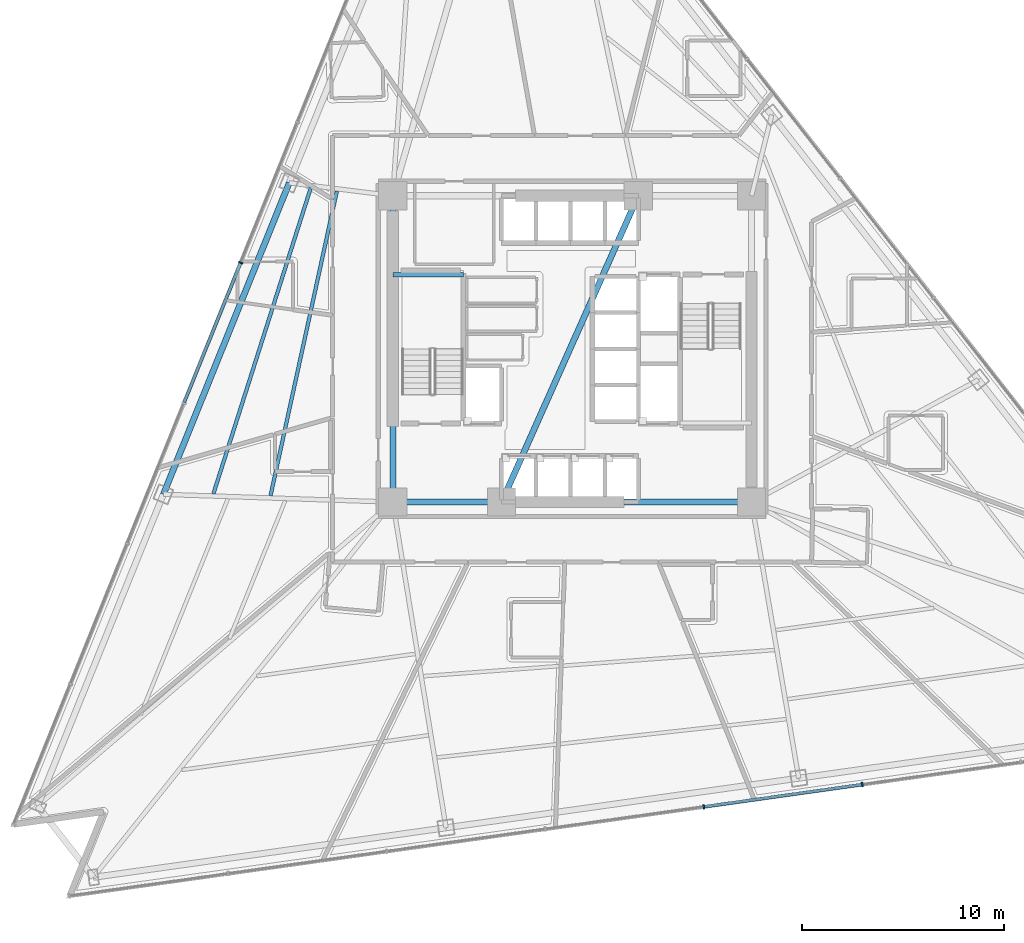
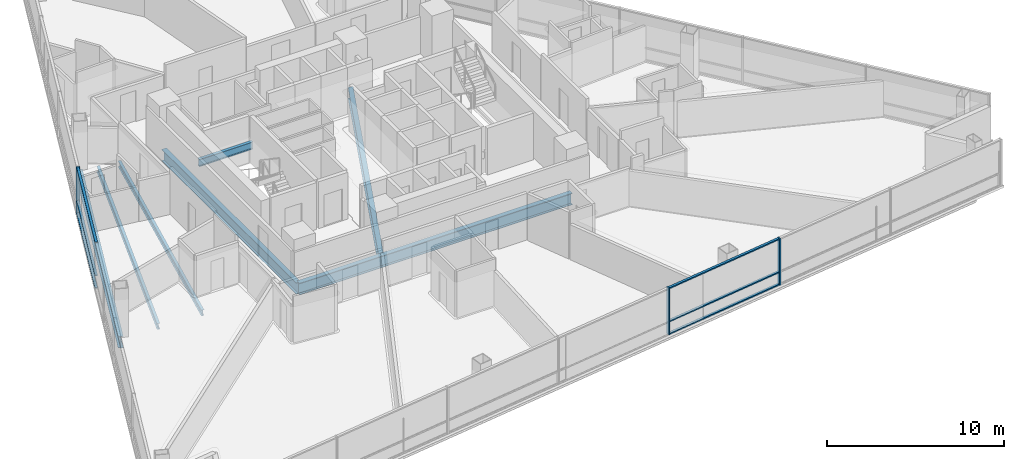
# One storey, part 3 of 15: 9 members, 8 beams, 2 elements without a shape of their own.
"""IFC4 building model written with IfcOpenShell, lengths in metres."""

from ifc_helpers import new_model, si_unit, direction, frame, origin, origin_2d, place, context, subcontext, project, spatial, rectangle, i_section, extrude, material, layer, layer_set, material_profile, profile_set, type_object, element, aggregate, save


model = new_model("IFC4")

# Units and contexts
model_context = context("Model", 3, precision=1e-05, world=origin(), true_north=direction((0.0, 1.0)))
body_context = subcontext(model_context, "Body", "Model", "MODEL_VIEW")
ifc_project = project(units=[si_unit("LENGTHUNIT", "METRE"), si_unit("AREAUNIT", "SQUARE_METRE"), si_unit("VOLUMEUNIT", "CUBIC_METRE"), si_unit("PLANEANGLEUNIT", "RADIAN"), si_unit("MASSUNIT", "GRAM", prefix="KILO")], contexts=[model_context])

# Site, building, storey
site_placement = place(None, origin())
site = spatial("IfcSite", under=ifc_project, at=site_placement, CompositionType="ELEMENT")
building_placement = place(site_placement, origin())
building = spatial("IfcBuilding", under=site, at=building_placement, Name="Tharavind Bronze Gate", CompositionType="ELEMENT")
storey_placement = place(building_placement, frame((0.0, 0.0, 60.449951171875)))
storey = spatial("IfcBuildingStorey", under=building, at=storey_placement, Name="L14", CompositionType="ELEMENT", Elevation=60.449951171875)

# Curtain wall, member
ifc_material_1 = material(Name="Anodised Bronze Aluminium", Category="aluminium")
ifc_layer = layer(ifc_material_1, 0.219970703125)
ifc_layer_set = layer_set([ifc_layer], Name="Anodised Bronze Aluminium")
curtain_wall_type = type_object("IfcCurtainWallType", Name="UNITISED CURTAIN WALL HOTEL", PredefinedType="USERDEFINED", material=ifc_layer_set)
curtain_wall_1_placement = place(storey_placement, origin())
curtain_wall_1 = element("IfcCurtainWall", 1, at=curtain_wall_1_placement, inside=storey, type_object=curtain_wall_type, Name="L14 unitised curtain wall hotel CW-L14-S1", ObjectType="UNITISED CURTAIN WALL", PredefinedType="USERDEFINED")
member_type_1 = type_object("IfcMemberType", Name="CURTAIN WALL MULLION 80X220", PredefinedType="MULLION", material=ifc_material_1)
member_1_placement = place(storey_placement, frame((-16.4462890625, 4.279541015625, 0.0), z_axis=(0.0, 0.0, 1.0), x_axis=(-0.374606593416, -0.927183854567, 0.0)))
member_1 = element("IfcMember", 2, at=member_1_placement, type_object=member_type_1, Name="CW-L14-S1 mullion 4", PredefinedType="MULLION", context=body_context, shape_type="SweptSolid", body=[
    extrude(rectangle(XDim=0.080078125, YDim=0.219970703125, at=origin_2d()), origin(), (0.0, 0.0, 1.0), 3.22509765625),
])

# Curtain wall, members
curtain_wall_2_placement = place(storey_placement, origin())
curtain_wall_2 = element("IfcCurtainWall", 3, at=curtain_wall_2_placement, inside=storey, type_object=curtain_wall_type, Name="L14 unitised curtain wall hotel CW-L14-S2", ObjectType="UNITISED CURTAIN WALL", PredefinedType="USERDEFINED")
member_2_placement = place(storey_placement, frame((6.52880859375, -22.7158203125, 0.0), z_axis=(0.0, 0.0, 1.0), x_axis=(0.990268068742, 0.13917310096, 0.0)))
member_2 = element("IfcMember", 4, at=member_2_placement, type_object=member_type_1, Name="CW-L14-S2 mullion 5", PredefinedType="MULLION", context=body_context, shape_type="SweptSolid", body=[
    extrude(rectangle(XDim=0.080078125, YDim=0.219970703125, at=origin_2d()), origin(), (0.0, 0.0, 1.0), 3.22509765625),
])
member_3_placement = place(storey_placement, frame((14.39501953125, -21.610107421875, 0.0), z_axis=(0.0, 0.0, 1.0), x_axis=(0.990268068742, 0.13917310096, 0.0)))
member_3 = element("IfcMember", 5, at=member_3_placement, type_object=member_type_1, Name="CW-L14-S2 mullion 6", PredefinedType="MULLION", context=body_context, shape_type="SweptSolid", body=[
    extrude(rectangle(XDim=0.080078125, YDim=0.219970703125, at=origin_2d()), origin(), (0.0, 0.0, 1.0), 3.22509765625),
])

# Member
member_type_2 = type_object("IfcMemberType", Name="CURTAIN WALL TRANSOM 80X160", PredefinedType="USERDEFINED", material=ifc_material_1)
member_4_placement = place(storey_placement, frame((-17.85400390625, 0.795654296875, 0.0), z_axis=(0.0, 0.0, 1.0), x_axis=(-0.374606593416, -0.927183854567, 0.0)))
member_4 = element("IfcMember", 6, at=member_4_placement, type_object=member_type_2, Name="CW-L14-S1 transom TB4", ObjectType="TRANSOM", PredefinedType="USERDEFINED", context=body_context, shape_type="SweptSolid", body=[
    extrude(rectangle(XDim=7.447021484375, YDim=0.159912109375, at=origin_2d()), origin(), (0.0, 0.0, 1.0), 0.080078125),
])

member_5_placement = place(storey_placement, frame((-17.85400390625, 0.795654296875, 0.860107421875), z_axis=(0.0, 0.0, 1.0), x_axis=(-0.374606593416, -0.927183854567, 0.0)))
member_5 = element("IfcMember", 7, at=member_5_placement, type_object=member_type_2, Name="CW-L14-S1 transom TS4", ObjectType="TRANSOM", PredefinedType="USERDEFINED", context=body_context, shape_type="SweptSolid", body=[
    extrude(rectangle(XDim=7.447021484375, YDim=0.159912109375, at=origin_2d()), origin(), (0.0, 0.0, 1.0), 0.080078125),
])

member_6_placement = place(storey_placement, frame((-17.85400390625, 0.795654296875, 3.14501953125), z_axis=(0.0, 0.0, 1.0), x_axis=(-0.374606593416, -0.927183854567, 0.0)))
member_6 = element("IfcMember", 8, at=member_6_placement, type_object=member_type_2, Name="CW-L14-S1 transom TT4", ObjectType="TRANSOM", PredefinedType="USERDEFINED", context=body_context, shape_type="SweptSolid", body=[
    extrude(rectangle(XDim=7.447021484375, YDim=0.159912109375, at=origin_2d()), origin(), (0.0, 0.0, 1.0), 0.080078125),
])

aggregate(curtain_wall_1, [member_1, member_4, member_5, member_6])

member_7_placement = place(storey_placement, frame((10.4619140625, -22.1630859375, 0.0), z_axis=(0.0, 0.0, 1.0), x_axis=(0.990268068742, 0.13917310096, 0.0)))
member_7 = element("IfcMember", 9, at=member_7_placement, type_object=member_type_2, Name="CW-L14-S2 transom TB5", ObjectType="TRANSOM", PredefinedType="USERDEFINED", context=body_context, shape_type="SweptSolid", body=[
    extrude(rectangle(XDim=7.87548828125, YDim=0.159912109375, at=origin_2d()), origin(), (0.0, 0.0, 1.0), 0.080078125),
])

member_8_placement = place(storey_placement, frame((10.4619140625, -22.1630859375, 0.860107421875), z_axis=(0.0, 0.0, 1.0), x_axis=(0.990268068742, 0.13917310096, 0.0)))
member_8 = element("IfcMember", 10, at=member_8_placement, type_object=member_type_2, Name="CW-L14-S2 transom TS5", ObjectType="TRANSOM", PredefinedType="USERDEFINED", context=body_context, shape_type="SweptSolid", body=[
    extrude(rectangle(XDim=7.87548828125, YDim=0.159912109375, at=origin_2d()), origin(), (0.0, 0.0, 1.0), 0.080078125),
])

member_9_placement = place(storey_placement, frame((10.4619140625, -22.1630859375, 3.14501953125), z_axis=(0.0, 0.0, 1.0), x_axis=(0.990268068742, 0.13917310096, 0.0)))
member_9 = element("IfcMember", 11, at=member_9_placement, type_object=member_type_2, Name="CW-L14-S2 transom TT5", ObjectType="TRANSOM", PredefinedType="USERDEFINED", context=body_context, shape_type="SweptSolid", body=[
    extrude(rectangle(XDim=7.87548828125, YDim=0.159912109375, at=origin_2d()), origin(), (0.0, 0.0, 1.0), 0.080078125),
])

aggregate(curtain_wall_2, [member_2, member_3, member_7, member_8, member_9])

# Beams
ifc_material_2 = material(Name="Steel S355", Category="steel")
ifc_material_profile_1 = material_profile(ifc_material_2, i_section(OverallWidth=0.199951171875, OverallDepth=0.5, WebThickness=0.01025390625, FlangeThickness=0.01611328125, at=origin_2d()), Name="IPE500")
ifc_profile_set_1 = profile_set([ifc_material_profile_1], Name="Steel S355")
beam_type_1 = type_object("IfcBeamType", Name="PRIMARY GIRDER IPE500", PredefinedType="USERDEFINED", material=ifc_profile_set_1)
beam_1_placement = place(storey_placement, frame((-8.89990234375, 3.679931640625, 1.25), z_axis=(1.0, 0.0, 0.0), x_axis=(0.0, 1.0, 0.0)))
element("IfcBeam", 12, at=beam_1_placement, inside=storey, type_object=beam_type_1, Name="L14 primary girder ipe500 BM-LD-ST1-L14-1", ObjectType="GIRDER", PredefinedType="USERDEFINED", context=body_context, shape_type="SweptSolid", body=[
    extrude(i_section(OverallWidth=0.199951171875, OverallDepth=0.5, WebThickness=0.01025390625, FlangeThickness=0.01611328125, at=origin_2d()), origin(), (0.0, 0.0, 1.0), 3.5),
])
ifc_material_profile_2 = material_profile(ifc_material_2, i_section(OverallWidth=0.300048828125, OverallDepth=0.800048828125, WebThickness=0.017578125, FlangeThickness=0.032958984375, at=origin_2d()), Name="HE800B")
ifc_profile_set_2 = profile_set([ifc_material_profile_2], Name="Steel S355")
beam_type_2 = type_object("IfcBeamType", Name="RING GIRDER HE800B", PredefinedType="USERDEFINED", material=ifc_profile_set_2)
beam_2_placement = place(storey_placement, frame((-8.89990234375, -7.60009765625, -0.574951171875), z_axis=(1.0, 0.0, 0.0), x_axis=(0.0, 1.0, 0.0)))
element("IfcBeam", 13, at=beam_2_placement, inside=storey, type_object=beam_type_2, Name="L14 ring girder he800b BM-L14-CR1", ObjectType="GIRDER", PredefinedType="USERDEFINED", context=body_context, shape_type="SweptSolid", body=[
    extrude(i_section(OverallWidth=0.300048828125, OverallDepth=0.800048828125, WebThickness=0.017578125, FlangeThickness=0.032958984375, at=origin_2d()), origin(), (0.0, 0.0, 1.0), 5.39990234375),
])
beam_3_placement = place(storey_placement, frame((-3.5, -7.60009765625, -0.574951171875), z_axis=(1.0, 0.0, 0.0), x_axis=(0.0, 1.0, 0.0)))
element("IfcBeam", 14, at=beam_3_placement, inside=storey, type_object=beam_type_2, Name="L14 ring girder he800b BM-L14-CR2", ObjectType="GIRDER", PredefinedType="USERDEFINED", context=body_context, shape_type="SweptSolid", body=[
    extrude(i_section(OverallWidth=0.300048828125, OverallDepth=0.800048828125, WebThickness=0.017578125, FlangeThickness=0.032958984375, at=origin_2d()), origin(), (0.0, 0.0, 1.0), 12.39990234375),
])
beam_4_placement = place(storey_placement, frame((-8.89990234375, 7.60009765625, -0.574951171875), z_axis=(0.0, -1.0, 0.0), x_axis=(1.0, 0.0, 0.0)))
element("IfcBeam", 15, at=beam_4_placement, inside=storey, type_object=beam_type_2, Name="L14 ring girder he800b BM-L14-CR6", ObjectType="GIRDER", PredefinedType="USERDEFINED", context=body_context, shape_type="SweptSolid", body=[
    extrude(i_section(OverallWidth=0.300048828125, OverallDepth=0.800048828125, WebThickness=0.017578125, FlangeThickness=0.032958984375, at=origin_2d()), origin(), (0.0, 0.0, 1.0), 15.2001953125),
])
beam_5_placement = place(storey_placement, frame((-3.5, -7.60009765625, -0.574951171875), z_axis=(0.407361644566, 0.913266932795, 0.0), x_axis=(-0.913266932795, 0.407361644566, 0.0)))
element("IfcBeam", 16, at=beam_5_placement, inside=storey, type_object=beam_type_2, Name="L14 ring girder he800b BM-L14-CR7", ObjectType="GIRDER", PredefinedType="USERDEFINED", context=body_context, shape_type="SweptSolid", body=[
    extrude(i_section(OverallWidth=0.300048828125, OverallDepth=0.800048828125, WebThickness=0.017578125, FlangeThickness=0.032958984375, at=origin_2d()), origin(), (0.0, 0.0, 1.0), 16.643798828125),
])
beam_6_placement = place(storey_placement, frame((-14.036376953125, 8.2421875, -0.574951171875), z_axis=(-0.374613188644, -0.927181189894, 0.0), x_axis=(0.927181189894, -0.374613188644, 0.0)))
element("IfcBeam", 17, at=beam_6_placement, inside=storey, type_object=beam_type_2, Name="L14 ring girder he800b BM-L14-PRG02", ObjectType="GIRDER", PredefinedType="USERDEFINED", context=body_context, shape_type="SweptSolid", body=[
    extrude(i_section(OverallWidth=0.300048828125, OverallDepth=0.800048828125, WebThickness=0.017578125, FlangeThickness=0.032958984375, at=origin_2d()), origin(), (0.0, 0.0, 1.0), 16.6689453125),
])
ifc_material_profile_3 = material_profile(ifc_material_2, i_section(OverallWidth=0.179931640625, OverallDepth=0.39990234375, WebThickness=0.008544921875, FlangeThickness=0.013427734375, at=origin_2d()), Name="IPE400")
ifc_profile_set_3 = profile_set([ifc_material_profile_3], Name="Steel S355")
beam_type_3 = type_object("IfcBeamType", Name="SECONDARY FLOOR JOIST IPE400", PredefinedType="JOIST", material=ifc_profile_set_3)
beam_7_placement = place(storey_placement, frame((-11.67236328125, 7.831787109375, -0.375), z_axis=(-0.212838572198, -0.977087376945, 0.0), x_axis=(0.977087376945, -0.212838572198, 0.0)))
element("IfcBeam", 18, at=beam_7_placement, inside=storey, type_object=beam_type_3, Name="L14 secondary floor joist ipe400 BM-L14-JSTA02", PredefinedType="JOIST", context=body_context, shape_type="SweptSolid", body=[
    extrude(i_section(OverallWidth=0.179931640625, OverallDepth=0.39990234375, WebThickness=0.008544921875, FlangeThickness=0.013427734375, at=origin_2d()), origin(), (0.0, 0.0, 1.0), 15.4658203125),
])
beam_8_placement = place(storey_placement, frame((-12.967041015625, 7.993896484375, -0.375), z_axis=(-0.303309311807, -0.952892156212, 0.0), x_axis=(0.952892156212, -0.303309311807, 0.0)))
element("IfcBeam", 19, at=beam_8_placement, inside=storey, type_object=beam_type_3, Name="L14 secondary floor joist ipe400 BM-L14-JSTB02", PredefinedType="JOIST", context=body_context, shape_type="SweptSolid", body=[
    extrude(i_section(OverallWidth=0.179931640625, OverallDepth=0.39990234375, WebThickness=0.008544921875, FlangeThickness=0.013427734375, at=origin_2d()), origin(), (0.0, 0.0, 1.0), 15.927734375),
])

save(model, "model.ifc")
